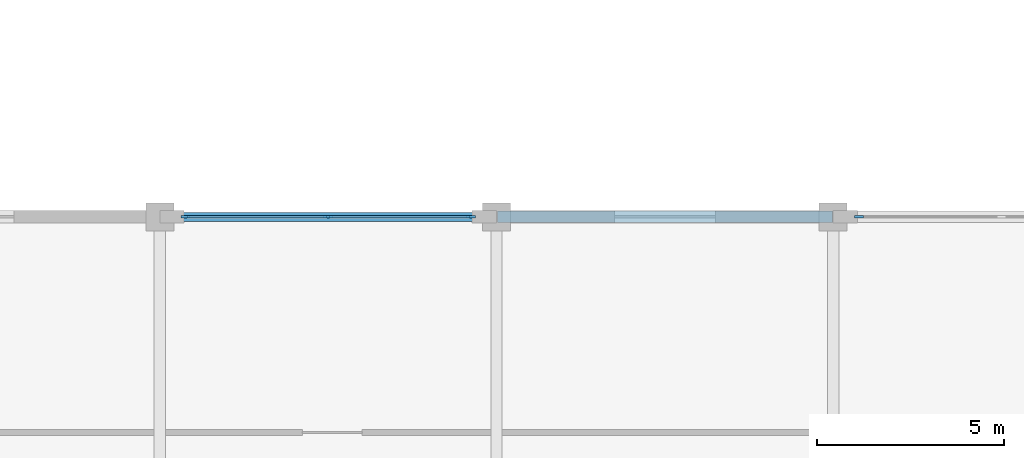
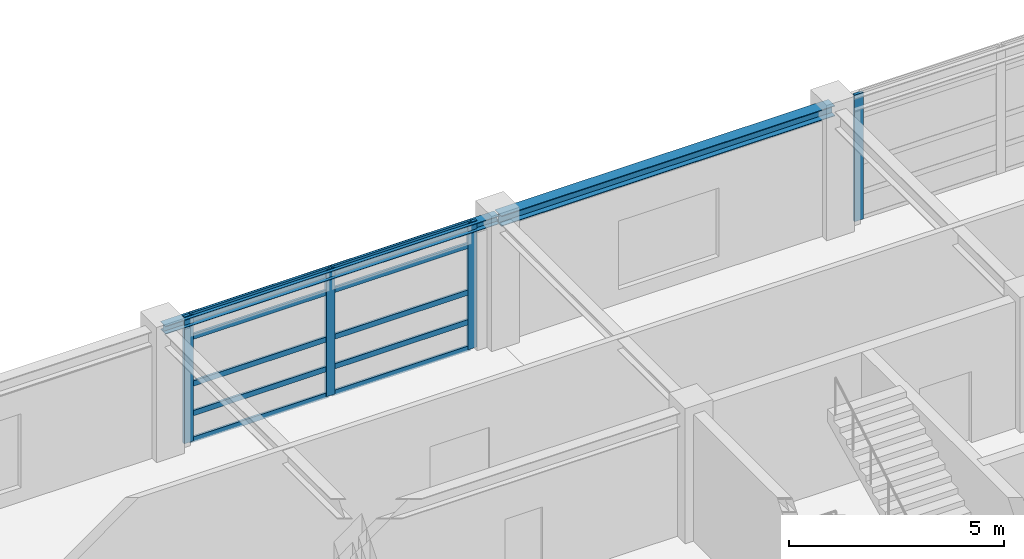
# One storey, part 21 of 79: 14 members, 2 beams, 2 elements without a shape of their own.
"""IFC4 building model written with IfcOpenShell, lengths in metres."""

from ifc_helpers import new_model, si_unit, direction, frame, origin, origin_2d, place, context, subcontext, project, spatial, rectangle, i_section, extrude, material, material_profile, profile_set, type_object, element, aggregate, save


model = new_model("IFC4")

# Units and contexts
model_context = context("Model", 3, precision=1e-05, world=origin(), true_north=direction((0.0, 1.0)))
body_context = subcontext(model_context, "Body", "Model", "MODEL_VIEW")
ifc_project = project(units=[si_unit("LENGTHUNIT", "METRE"), si_unit("AREAUNIT", "SQUARE_METRE"), si_unit("VOLUMEUNIT", "CUBIC_METRE"), si_unit("PLANEANGLEUNIT", "RADIAN"), si_unit("MASSUNIT", "GRAM", prefix="KILO")], contexts=[model_context])

# Site, building, storey
site_placement = place(None, origin())
site = spatial("IfcSite", under=ifc_project, at=site_placement, CompositionType="ELEMENT")
building_placement = place(site_placement, origin())
building = spatial("IfcBuilding", under=site, at=building_placement, Name="Palais des Congres Ocreval", CompositionType="ELEMENT")
storey_placement = place(building_placement, frame((0.0, 0.0, 4.320068359375)))
storey = spatial("IfcBuildingStorey", under=building, at=storey_placement, Name="L01", CompositionType="ELEMENT", Elevation=4.320068359375)

# Curtain wall, members
ifc_material_1 = material(Name="Anodized bronze aluminium and low-E glass", Category="glass")
curtain_wall_type = type_object("IfcCurtainWallType", Name="Unitised Curtain Wall 7900x3660", PredefinedType="USERDEFINED", material=ifc_material_1)
curtain_wall_1_placement = place(storey_placement, origin())
curtain_wall_1 = element("IfcCurtainWall", 1, at=curtain_wall_1_placement, inside=storey, type_object=curtain_wall_type, Name="Unitised Curtain Wall CW02 L01", ObjectType="UNITISED CURTAIN WALL", PredefinedType="USERDEFINED")
ifc_material_2 = material(Name="Anodized bronze aluminium", Category="aluminium")
ifc_material_profile_1 = material_profile(ifc_material_2, rectangle(XDim=0.074951171875, YDim=0.239990234375, at=origin_2d()), Name="ALU 75x240")
ifc_profile_set_1 = profile_set([ifc_material_profile_1], Name="Anodized bronze aluminium")
member_type_1 = type_object("IfcMemberType", Name="Curtain Wall Mullion ALU 75x240", PredefinedType="MULLION", material=ifc_profile_set_1)
member_1_placement = place(storey_placement, frame((45.6875, 18.0, 0.0), z_axis=(0.0, 0.0, 1.0), x_axis=(0.0, 1.0, 0.0)))
member_1 = element("IfcMember", 2, at=member_1_placement, type_object=member_type_1, Name="Curtain Wall Mullion ML01", PredefinedType="MULLION", context=body_context, shape_type="SweptSolid", body=[
    extrude(rectangle(XDim=0.074951171875, YDim=0.239990234375, at=origin_2d()), origin(), (0.0, 0.0, 1.0), 3.599853515625),
])
member_2_placement = place(storey_placement, frame((49.5, 18.0, 0.0), z_axis=(0.0, 0.0, 1.0), x_axis=(0.0, 1.0, 0.0)))
member_2 = element("IfcMember", 3, at=member_2_placement, type_object=member_type_1, Name="Curtain Wall Mullion ML01", PredefinedType="MULLION", context=body_context, shape_type="SweptSolid", body=[
    extrude(rectangle(XDim=0.074951171875, YDim=0.239990234375, at=origin_2d()), origin(), (0.0, 0.0, 1.0), 3.599853515625),
])
member_3_placement = place(storey_placement, frame((53.3125, 18.0, 0.0), z_axis=(0.0, 0.0, 1.0), x_axis=(0.0, 1.0, 0.0)))
member_3 = element("IfcMember", 4, at=member_3_placement, type_object=member_type_1, Name="Curtain Wall Mullion ML01", PredefinedType="MULLION", context=body_context, shape_type="SweptSolid", body=[
    extrude(rectangle(XDim=0.074951171875, YDim=0.239990234375, at=origin_2d()), origin(), (0.0, 0.0, 1.0), 3.599853515625),
])

# Curtain wall, member
curtain_wall_2_placement = place(storey_placement, origin())
curtain_wall_2 = element("IfcCurtainWall", 5, at=curtain_wall_2_placement, inside=storey, type_object=curtain_wall_type, Name="Unitised Curtain Wall CW02 L01", ObjectType="UNITISED CURTAIN WALL", PredefinedType="USERDEFINED")
member_4_placement = place(storey_placement, frame((63.6875, 18.0, 0.0), z_axis=(0.0, 0.0, 1.0), x_axis=(0.0, 1.0, 0.0)))
member_4 = element("IfcMember", 6, at=member_4_placement, type_object=member_type_1, Name="Curtain Wall Mullion ML01", PredefinedType="MULLION", context=body_context, shape_type="SweptSolid", body=[
    extrude(rectangle(XDim=0.074951171875, YDim=0.239990234375, at=origin_2d()), origin(), (0.0, 0.0, 1.0), 3.599853515625),
])
aggregate(curtain_wall_2, [member_4])

# Member
ifc_material_profile_2 = material_profile(ifc_material_2, rectangle(XDim=0.06005859375, YDim=0.14990234375, at=origin_2d()), Name="ALU 60x150")
ifc_profile_set_2 = profile_set([ifc_material_profile_2], Name="Anodized bronze aluminium")
member_type_2 = type_object("IfcMemberType", Name="Curtain Wall Transom ALU 60x150", PredefinedType="USERDEFINED", material=ifc_profile_set_2)
member_5_placement = place(storey_placement, frame((45.72509765625, 18.0, 0.030029296875), z_axis=(1.0, 0.0, 0.0), x_axis=(0.0, 1.0, 0.0)))
member_5 = element("IfcMember", 7, at=member_5_placement, type_object=member_type_2, Name="Curtain Wall Transom TR01", ObjectType="TRANSOM", PredefinedType="USERDEFINED", context=body_context, shape_type="SweptSolid", body=[
    extrude(rectangle(XDim=0.06005859375, YDim=0.14990234375, at=origin_2d()), origin(), (0.0, 0.0, 1.0), 3.7373046875),
])

member_6_placement = place(storey_placement, frame((45.72509765625, 18.0, 0.780029296875), z_axis=(1.0, 0.0, 0.0), x_axis=(0.0, 1.0, 0.0)))
member_6 = element("IfcMember", 8, at=member_6_placement, type_object=member_type_2, Name="Curtain Wall Transom TR01", ObjectType="TRANSOM", PredefinedType="USERDEFINED", context=body_context, shape_type="SweptSolid", body=[
    extrude(rectangle(XDim=0.06005859375, YDim=0.14990234375, at=origin_2d()), origin(), (0.0, 0.0, 1.0), 3.7373046875),
])

member_7_placement = place(storey_placement, frame((45.72509765625, 18.0, 1.622314453125), z_axis=(1.0, 0.0, 0.0), x_axis=(0.0, 1.0, 0.0)))
member_7 = element("IfcMember", 9, at=member_7_placement, type_object=member_type_2, Name="Curtain Wall Transom TR01", ObjectType="TRANSOM", PredefinedType="USERDEFINED", context=body_context, shape_type="SweptSolid", body=[
    extrude(rectangle(XDim=0.06005859375, YDim=0.14990234375, at=origin_2d()), origin(), (0.0, 0.0, 1.0), 3.7373046875),
])

member_8_placement = place(storey_placement, frame((45.72509765625, 18.0, 2.949951171875), z_axis=(1.0, 0.0, 0.0), x_axis=(0.0, 1.0, 0.0)))
member_8 = element("IfcMember", 10, at=member_8_placement, type_object=member_type_2, Name="Curtain Wall Transom TR01", ObjectType="TRANSOM", PredefinedType="USERDEFINED", context=body_context, shape_type="SweptSolid", body=[
    extrude(rectangle(XDim=0.06005859375, YDim=0.14990234375, at=origin_2d()), origin(), (0.0, 0.0, 1.0), 3.7373046875),
])

member_9_placement = place(storey_placement, frame((45.72509765625, 18.0, 3.56982421875), z_axis=(1.0, 0.0, 0.0), x_axis=(0.0, 1.0, 0.0)))
member_9 = element("IfcMember", 11, at=member_9_placement, type_object=member_type_2, Name="Curtain Wall Transom TR01", ObjectType="TRANSOM", PredefinedType="USERDEFINED", context=body_context, shape_type="SweptSolid", body=[
    extrude(rectangle(XDim=0.06005859375, YDim=0.14990234375, at=origin_2d()), origin(), (0.0, 0.0, 1.0), 3.7373046875),
])

member_10_placement = place(storey_placement, frame((49.53759765625, 18.0, 0.030029296875), z_axis=(1.0, 0.0, 0.0), x_axis=(0.0, 1.0, 0.0)))
member_10 = element("IfcMember", 12, at=member_10_placement, type_object=member_type_2, Name="Curtain Wall Transom TR01", ObjectType="TRANSOM", PredefinedType="USERDEFINED", context=body_context, shape_type="SweptSolid", body=[
    extrude(rectangle(XDim=0.06005859375, YDim=0.14990234375, at=origin_2d()), origin(), (0.0, 0.0, 1.0), 3.7373046875),
])

member_11_placement = place(storey_placement, frame((49.53759765625, 18.0, 0.780029296875), z_axis=(1.0, 0.0, 0.0), x_axis=(0.0, 1.0, 0.0)))
member_11 = element("IfcMember", 13, at=member_11_placement, type_object=member_type_2, Name="Curtain Wall Transom TR01", ObjectType="TRANSOM", PredefinedType="USERDEFINED", context=body_context, shape_type="SweptSolid", body=[
    extrude(rectangle(XDim=0.06005859375, YDim=0.14990234375, at=origin_2d()), origin(), (0.0, 0.0, 1.0), 3.7373046875),
])

member_12_placement = place(storey_placement, frame((49.53759765625, 18.0, 1.622314453125), z_axis=(1.0, 0.0, 0.0), x_axis=(0.0, 1.0, 0.0)))
member_12 = element("IfcMember", 14, at=member_12_placement, type_object=member_type_2, Name="Curtain Wall Transom TR01", ObjectType="TRANSOM", PredefinedType="USERDEFINED", context=body_context, shape_type="SweptSolid", body=[
    extrude(rectangle(XDim=0.06005859375, YDim=0.14990234375, at=origin_2d()), origin(), (0.0, 0.0, 1.0), 3.7373046875),
])

member_13_placement = place(storey_placement, frame((49.53759765625, 18.0, 2.949951171875), z_axis=(1.0, 0.0, 0.0), x_axis=(0.0, 1.0, 0.0)))
member_13 = element("IfcMember", 15, at=member_13_placement, type_object=member_type_2, Name="Curtain Wall Transom TR01", ObjectType="TRANSOM", PredefinedType="USERDEFINED", context=body_context, shape_type="SweptSolid", body=[
    extrude(rectangle(XDim=0.06005859375, YDim=0.14990234375, at=origin_2d()), origin(), (0.0, 0.0, 1.0), 3.7373046875),
])

member_14_placement = place(storey_placement, frame((49.53759765625, 18.0, 3.56982421875), z_axis=(1.0, 0.0, 0.0), x_axis=(0.0, 1.0, 0.0)))
member_14 = element("IfcMember", 16, at=member_14_placement, type_object=member_type_2, Name="Curtain Wall Transom TR01", ObjectType="TRANSOM", PredefinedType="USERDEFINED", context=body_context, shape_type="SweptSolid", body=[
    extrude(rectangle(XDim=0.06005859375, YDim=0.14990234375, at=origin_2d()), origin(), (0.0, 0.0, 1.0), 3.7373046875),
])

aggregate(curtain_wall_1, [member_1, member_2, member_3, member_5, member_6, member_7, member_8, member_9, member_10, member_11, member_12, member_13, member_14])

# Beams
ifc_material_3 = material(Name="Steel S355", Category="steel")
ifc_material_profile_3 = material_profile(ifc_material_3, i_section(OverallWidth=0.239990234375, OverallDepth=0.22998046875, WebThickness=0.007568359375, FlangeThickness=0.011962890625, at=origin_2d()), Name="HEA 240")
ifc_profile_set_3 = profile_set([ifc_material_profile_3], Name="Steel S355")
beam_type_1 = type_object("IfcBeamType", Name="Perimeter Spandrel HEA 240 Steel S355", PredefinedType="SPANDREL", material=ifc_profile_set_3)
beam_1_placement = place(storey_placement, frame((45.02001953125, 18.0, 3.46484375), z_axis=(1.0, 0.0, 0.0), x_axis=(0.0, 1.0, 0.0)))
element("IfcBeam", 17, at=beam_1_placement, inside=storey, type_object=beam_type_1, Name="Beam SP01 L01", PredefinedType="SPANDREL", context=body_context, shape_type="SweptSolid", body=[
    extrude(i_section(OverallWidth=0.239990234375, OverallDepth=0.22998046875, WebThickness=0.007568359375, FlangeThickness=0.011962890625, at=origin_2d()), origin(), (0.0, 0.0, 1.0), 8.9599609375),
])
ifc_material_profile_4 = material_profile(ifc_material_3, i_section(OverallWidth=0.300048828125, OverallDepth=0.300048828125, WebThickness=0.010986328125, FlangeThickness=0.01904296875, at=origin_2d()), Name="HEB 300")
ifc_profile_set_4 = profile_set([ifc_material_profile_4], Name="Steel S355")
beam_type_2 = type_object("IfcBeamType", Name="Perimeter Spandrel HEB 300 Steel S355", PredefinedType="SPANDREL", material=ifc_profile_set_4)
beam_2_placement = place(storey_placement, frame((54.02001953125, 18.0, 3.429931640625), z_axis=(1.0, 0.0, 0.0), x_axis=(0.0, 1.0, 0.0)))
element("IfcBeam", 18, at=beam_2_placement, inside=storey, type_object=beam_type_2, Name="Beam SP02 L01", PredefinedType="SPANDREL", context=body_context, shape_type="SweptSolid", body=[
    extrude(i_section(OverallWidth=0.300048828125, OverallDepth=0.300048828125, WebThickness=0.010986328125, FlangeThickness=0.01904296875, at=origin_2d()), origin(), (0.0, 0.0, 1.0), 8.9599609375),
])

save(model, "model.ifc")
